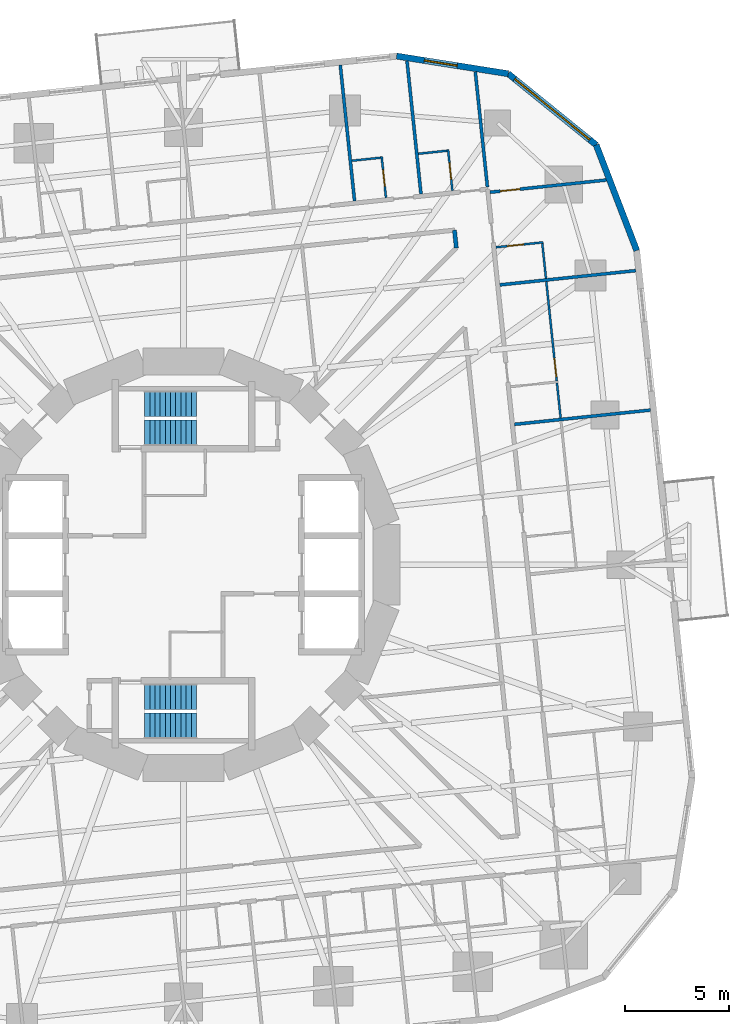
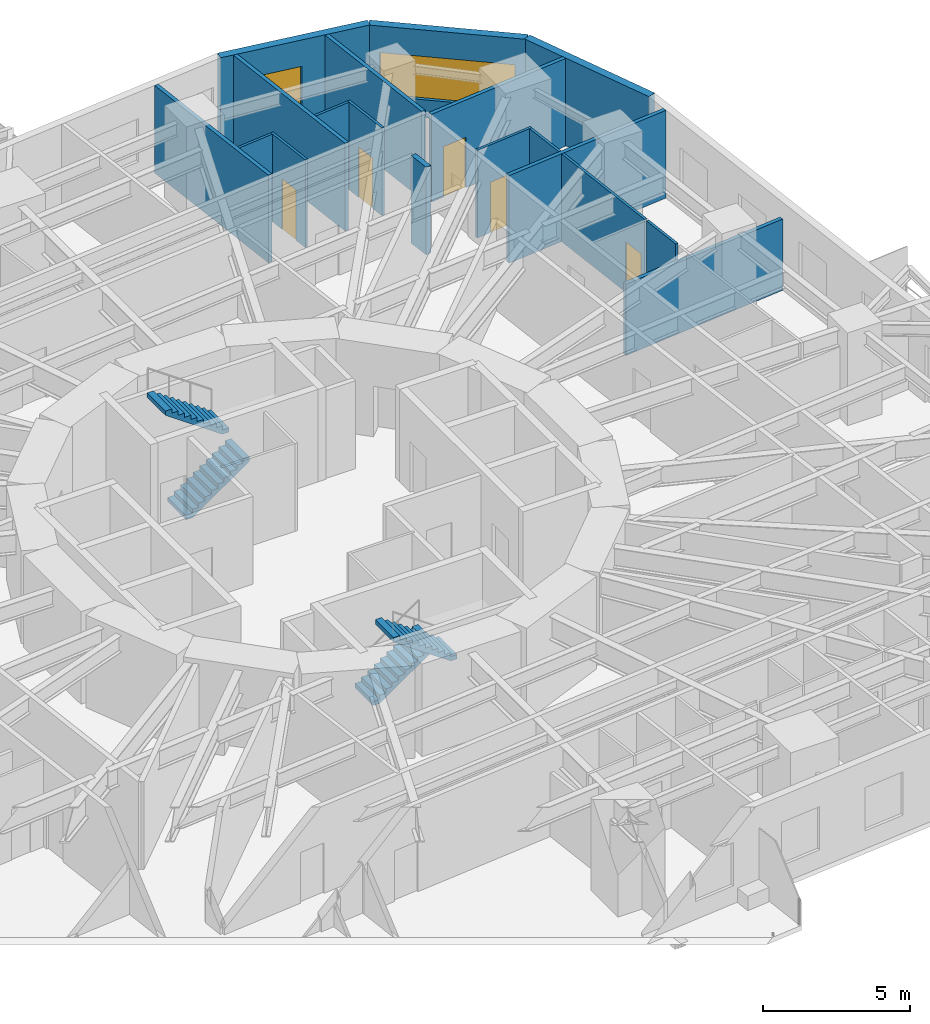
# One storey, part 11 of 13: 18 walls, 5 doors, 4 stair flights, 2 windows, 7 openings, 2 elements without a shape of their own.
"""IFC4 building model written with IfcOpenShell, lengths in metres."""

from ifc_helpers import new_model, si_unit, direction, frame, frame_2d, origin, place, context, subcontext, project, spatial, polyline, rectangle, outline, extrude, material, layer, layer_set, type_object, element, fill, aggregate, save


model = new_model("IFC4")

# Units and contexts
model_context = context("Model", 3, precision=1e-05, world=origin(), true_north=direction((0.0, 1.0)))
body_context = subcontext(model_context, "Body", "Model", "MODEL_VIEW")
ifc_project = project(units=[si_unit("LENGTHUNIT", "METRE"), si_unit("AREAUNIT", "SQUARE_METRE"), si_unit("VOLUMEUNIT", "CUBIC_METRE"), si_unit("PLANEANGLEUNIT", "RADIAN"), si_unit("MASSUNIT", "GRAM", prefix="KILO")], contexts=[model_context])

# Site, building, storey
site_placement = place(None, origin())
site = spatial("IfcSite", under=ifc_project, at=site_placement, CompositionType="ELEMENT")
building_placement = place(site_placement, origin())
building = spatial("IfcBuilding", under=site, at=building_placement, Name="Nakasero Lantern House", CompositionType="ELEMENT")
storey_placement = place(building_placement, frame((0.0, 0.0, 75.89990234375)))
storey = spatial("IfcBuildingStorey", under=building, at=storey_placement, Name="L18", CompositionType="ELEMENT", Elevation=75.89990234375)

# Walls
ifc_material_1 = material(Name="Blockwork", Category="masonry")
ifc_layer_1 = layer(ifc_material_1, 0.199951171875)
ifc_layer_set_1 = layer_set([ifc_layer_1], Name="Corridor wall 200")
wall_type_1 = type_object("IfcWallType", Name="Corridor wall 200", PredefinedType="PARTITIONING", material=ifc_layer_set_1)
wall_1_placement = place(storey_placement, frame((13.0830078125, 16.156005859375, 0.0), z_axis=(0.0, 0.0, 1.0), x_axis=(0.104303245505, -0.994545540927, 0.0)))
element("IfcWall", 1, at=wall_1_placement, inside=storey, type_object=wall_type_1, Name="Corridor wall L18 IW1-0R0", PredefinedType="PARTITIONING", context=body_context, shape_type="SweptSolid", body=[
    extrude(rectangle(XDim=0.865966796875, YDim=0.199951171875, at=frame_2d((0.43310546875, 0.0))), origin(), (0.0, 0.0, 1.0), 3.650146484375),
])
ifc_material_2 = material(Name="Blockwork", Category="masonry")
ifc_layer_2 = layer(ifc_material_2, 0.10009765625)
ifc_layer_set_2 = layer_set([ifc_layer_2], Name="En-suite wall 100")
wall_type_2 = type_object("IfcWallType", Name="En-suite wall 100", PredefinedType="PARTITIONING", material=ifc_layer_set_2)
wall_2_placement = place(storey_placement, frame((18.208984375, 7.087158203125, 0.0), z_axis=(0.0, 0.0, 1.0), x_axis=(-0.104550220202, 0.994519608382, 0.0)))
element("IfcWall", 2, at=wall_2_placement, inside=storey, type_object=wall_type_2, Name="En-suite wall L18 EE0-06", PredefinedType="PARTITIONING", context=body_context, shape_type="SweptSolid", body=[
    extrude(rectangle(XDim=1.699951171875, YDim=0.10009765625, at=frame_2d((0.85009765625, 0.0))), origin(), (0.0, 0.0, 1.0), 3.650146484375),
])

# Wall, opening, door
wall_3_placement = place(storey_placement, frame((15.08056640625, 15.326416015625, 0.0), z_axis=(0.0, 0.0, 1.0), x_axis=(0.994518822602, 0.104557694553, 0.0)))
wall_3 = element("IfcWall", 3, at=wall_3_placement, inside=storey, type_object=wall_type_2, Name="En-suite wall L18 ES0-08", PredefinedType="PARTITIONING", context=body_context, shape_type="SweptSolid", body=[
    extrude(rectangle(XDim=2.300048828125, YDim=0.10009765625, at=frame_2d((1.14990234375, 0.0))), origin(), (0.0, 0.0, 1.0), 3.650146484375),
])
opening_1_placement = place(wall_3_placement, frame((0.550048828125, 0.0, 0.0)))
opening_1 = element("IfcOpeningElement", 4, at=opening_1_placement, cuts=wall_3, Name="Opening D02", PredefinedType="OPENING", context=body_context, shape_type="SweptSolid", body=[
    extrude(rectangle(XDim=0.800048828125, YDim=2.10009765625, at=frame_2d((0.39990234375, 1.050048828125))), frame((0.0, 0.070068359375, 0.0), z_axis=(0.0, -1.0, 0.0), x_axis=(1.0, 0.0, 0.0)), (0.0, 0.0, 1.0), 0.14013671875),
])
ifc_material_3 = material(Name="Timber C24", Category="wood")
door_type_1 = type_object("IfcDoorType", Name="En-suite door 800", OperationType="SINGLE_SWING_RIGHT", PredefinedType="DOOR", material=ifc_material_3)
door_1_placement = place(opening_1_placement, origin())
door_1 = element("IfcDoor", 5, at=door_1_placement, inside=storey, type_object=door_type_1, Name="Door L18 DE0-08", OperationType="SINGLE_SWING_LEFT", OverallHeight=2.10009765625, OverallWidth=0.800048828125, PredefinedType="DOOR", context=body_context, shape_type="SweptSolid", body=[
    extrude(rectangle(XDim=0.800048828125, YDim=2.10009765625, at=frame_2d((0.39990234375, 1.050048828125))), frame((0.0, 0.02490234375, 0.0), z_axis=(0.0, -1.0, 0.0), x_axis=(1.0, 0.0, 0.0)), (0.0, 0.0, 1.0), 0.050048828125),
])
fill(opening_1, door_1)

# Wall
wall_4_placement = place(storey_placement, frame((17.501220703125, 13.8212890625, 0.0), z_axis=(0.0, 0.0, 1.0), x_axis=(-0.104550220202, 0.994519608382, 0.0)))
element("IfcWall", 6, at=wall_4_placement, inside=storey, type_object=wall_type_2, Name="En-suite wall L18 EE0-08", PredefinedType="PARTITIONING", context=body_context, shape_type="SweptSolid", body=[
    extrude(rectangle(XDim=1.699951171875, YDim=0.10009765625, at=frame_2d((0.85009765625, 0.0))), origin(), (0.0, 0.0, 1.0), 3.650146484375),
])

# Wall, opening, door
wall_5_placement = place(storey_placement, frame((12.9833984375, 18.05615234375, 0.0), z_axis=(0.0, 0.0, 1.0), x_axis=(-0.104494148666, 0.99452550138, 0.0)))
wall_5 = element("IfcWall", 7, at=wall_5_placement, inside=storey, type_object=wall_type_2, Name="En-suite wall L18 ES1-00", PredefinedType="PARTITIONING", context=body_context, shape_type="SweptSolid", body=[
    extrude(rectangle(XDim=2.0, YDim=0.10009765625, at=frame_2d((1.0, 0.0))), origin(), (0.0, 0.0, 1.0), 3.650146484375),
])
opening_2_placement = place(wall_5_placement, frame((0.550048828125, 0.0, 0.0)))
opening_2 = element("IfcOpeningElement", 8, at=opening_2_placement, cuts=wall_5, Name="Opening D02", PredefinedType="OPENING", context=body_context, shape_type="SweptSolid", body=[
    extrude(rectangle(XDim=0.800048828125, YDim=2.10009765625, at=frame_2d((0.39990234375, 1.050048828125))), frame((0.0, 0.070068359375, 0.0), z_axis=(0.0, -1.0, 0.0), x_axis=(1.0, 0.0, 0.0)), (0.0, 0.0, 1.0), 0.14013671875),
])
door_2_placement = place(opening_2_placement, origin())
door_2 = element("IfcDoor", 9, at=door_2_placement, inside=storey, type_object=door_type_1, Name="Door L18 DE1-00", OperationType="SINGLE_SWING_LEFT", OverallHeight=2.10009765625, OverallWidth=0.800048828125, PredefinedType="DOOR", context=body_context, shape_type="SweptSolid", body=[
    extrude(rectangle(XDim=0.800048828125, YDim=2.10009765625, at=frame_2d((0.39990234375, 1.050048828125))), frame((0.0, 0.02490234375, 0.0), z_axis=(0.0, -1.0, 0.0), x_axis=(1.0, 0.0, 0.0)), (0.0, 0.0, 1.0), 0.050048828125),
])
fill(opening_2, door_2)

# Wall
wall_6_placement = place(storey_placement, frame((12.72998046875, 19.990234375, 0.0), z_axis=(0.0, 0.0, 1.0), x_axis=(-0.994511184598, -0.104630319263, 0.0)))
element("IfcWall", 10, at=wall_6_placement, inside=storey, type_object=wall_type_2, Name="En-suite wall L18 EE1-00", PredefinedType="PARTITIONING", context=body_context, shape_type="SweptSolid", body=[
    extrude(rectangle(XDim=1.39990234375, YDim=0.10009765625, at=frame_2d((0.699951171875, 0.0))), origin(), (0.0, 0.0, 1.0), 3.650146484375),
])

# Wall, opening, door
wall_7_placement = place(storey_placement, frame((9.77587890625, 17.718994140625, 0.0), z_axis=(0.0, 0.0, 1.0), x_axis=(-0.104614886044, 0.994512808172, 0.0)))
wall_7 = element("IfcWall", 11, at=wall_7_placement, inside=storey, type_object=wall_type_2, Name="En-suite wall L18 ES1-01", PredefinedType="PARTITIONING", context=body_context, shape_type="SweptSolid", body=[
    extrude(rectangle(XDim=2.0, YDim=0.10009765625, at=frame_2d((1.0, 0.0))), origin(), (0.0, 0.0, 1.0), 3.650146484375),
])
opening_3_placement = place(wall_7_placement, frame((0.550048828125, 0.0, 0.0)))
opening_3 = element("IfcOpeningElement", 12, at=opening_3_placement, cuts=wall_7, Name="Opening D02", PredefinedType="OPENING", context=body_context, shape_type="SweptSolid", body=[
    extrude(rectangle(XDim=0.800048828125, YDim=2.10009765625, at=frame_2d((0.39990234375, 1.050048828125))), frame((0.0, 0.070068359375, 0.0), z_axis=(0.0, -1.0, 0.0), x_axis=(1.0, 0.0, 0.0)), (0.0, 0.0, 1.0), 0.14013671875),
])
door_3_placement = place(opening_3_placement, origin())
door_3 = element("IfcDoor", 13, at=door_3_placement, inside=storey, type_object=door_type_1, Name="Door L18 DE1-01", OperationType="SINGLE_SWING_LEFT", OverallHeight=2.10009765625, OverallWidth=0.800048828125, PredefinedType="DOOR", context=body_context, shape_type="SweptSolid", body=[
    extrude(rectangle(XDim=0.800048828125, YDim=2.10009765625, at=frame_2d((0.39990234375, 1.050048828125))), frame((0.0, 0.02490234375, 0.0), z_axis=(0.0, -1.0, 0.0), x_axis=(1.0, 0.0, 0.0)), (0.0, 0.0, 1.0), 0.050048828125),
])
fill(opening_3, door_3)

# Wall
wall_8_placement = place(storey_placement, frame((9.522216796875, 19.653076171875, 0.0), z_axis=(0.0, 0.0, 1.0), x_axis=(-0.994511184598, -0.104630319263, 0.0)))
element("IfcWall", 14, at=wall_8_placement, inside=storey, type_object=wall_type_2, Name="En-suite wall L18 EE1-01", PredefinedType="PARTITIONING", context=body_context, shape_type="SweptSolid", body=[
    extrude(rectangle(XDim=1.39990234375, YDim=0.10009765625, at=frame_2d((0.699951171875, 0.0))), origin(), (0.0, 0.0, 1.0), 3.650146484375),
])

# Wall, opening, door
wall_9_placement = place(storey_placement, frame((18.020751953125, 8.87744140625, 0.0), z_axis=(0.0, 0.0, 1.0), x_axis=(-0.104521347102, 0.994522643282, 0.0)))
wall_9 = element("IfcWall", 15, at=wall_9_placement, inside=storey, type_object=wall_type_2, Name="En-suite wall L18 EL0-06", PredefinedType="PARTITIONING", context=body_context, shape_type="SweptSolid", body=[
    extrude(rectangle(XDim=4.821044921875, YDim=0.10009765625, at=frame_2d((2.41064453125, 0.0))), origin(), (0.0, 0.0, 1.0), 3.650146484375),
])
opening_4_placement = place(wall_9_placement, frame((0.199951171875, 0.0, 0.0)))
opening_4 = element("IfcOpeningElement", 16, at=opening_4_placement, cuts=wall_9, Name="Opening D17", PredefinedType="OPENING", context=body_context, shape_type="SweptSolid", body=[
    extrude(rectangle(XDim=0.89990234375, YDim=2.10009765625, at=frame_2d((0.449951171875, 1.050048828125))), frame((0.0, 0.070068359375, 0.0), z_axis=(0.0, -1.0, 0.0), x_axis=(1.0, 0.0, 0.0)), (0.0, 0.0, 1.0), 0.14013671875),
])
ifc_material_4 = material(Name="Timber C24", Category="wood")
door_type_2 = type_object("IfcDoorType", Name="Bedroom door FD30S 900", OperationType="SINGLE_SWING_LEFT", PredefinedType="DOOR", material=ifc_material_4)
door_4_placement = place(opening_4_placement, origin())
door_4 = element("IfcDoor", 17, at=door_4_placement, inside=storey, type_object=door_type_2, Name="Door L18 DL0-06", OperationType="SINGLE_SWING_LEFT", OverallHeight=2.10009765625, OverallWidth=0.89990234375, PredefinedType="DOOR", context=body_context, shape_type="SweptSolid", body=[
    extrude(rectangle(XDim=0.89990234375, YDim=2.10009765625, at=frame_2d((0.449951171875, 1.050048828125))), frame((0.0, 0.02490234375, 0.0), z_axis=(0.0, -1.0, 0.0), x_axis=(1.0, 0.0, 0.0)), (0.0, 0.0, 1.0), 0.050048828125),
])
fill(opening_4, door_4)

# Wall
ifc_material_5 = material(Name="Aluminium rainscreen on blockwork", Category="masonry")
ifc_layer_3 = layer(ifc_material_5, 0.300048828125)
ifc_layer_set_3 = layer_set([ifc_layer_3], Name="Facade wall 300")
wall_type_3 = type_object("IfcWallType", Name="Facade wall 300", PredefinedType="SOLIDWALL", material=ifc_layer_set_3)
wall_10_placement = place(storey_placement, frame((21.884033203125, 15.170654296875, 0.0), z_axis=(0.0, 0.0, 1.0), x_axis=(-0.358358884793, 0.933583906079, 0.0)))
element("IfcWall", 18, at=wall_10_placement, inside=storey, type_object=wall_type_3, Name="Facade wall L18 FW0C1", PredefinedType="SOLIDWALL", context=body_context, shape_type="SweptSolid", body=[
    extrude(rectangle(XDim=5.461181640625, YDim=0.300048828125, at=frame_2d((2.73046875, 0.0))), origin(), (0.0, 0.0, 1.0), 3.650146484375),
])

# Wall, opening, window
wall_11_placement = place(storey_placement, frame((19.927001953125, 20.26904296875, 0.0), z_axis=(0.0, 0.0, 1.0), x_axis=(-0.777134500863, 0.629334543442, 0.0)))
wall_11 = element("IfcWall", 19, at=wall_11_placement, inside=storey, type_object=wall_type_3, Name="Facade wall L18 FW0C2", PredefinedType="SOLIDWALL", context=body_context, shape_type="SweptSolid", body=[
    extrude(rectangle(XDim=5.4609375, YDim=0.300048828125, at=frame_2d((2.73046875, 0.0))), origin(), (0.0, 0.0, 1.0), 3.650146484375),
])
opening_5_placement = place(wall_11_placement, frame((0.39990234375, 0.0, 0.75)))
opening_5 = element("IfcOpeningElement", 20, at=opening_5_placement, cuts=wall_11, Name="Opening W246", PredefinedType="OPENING", context=body_context, shape_type="SweptSolid", body=[
    extrude(rectangle(XDim=4.660888671875, YDim=1.800048828125, at=frame_2d((2.33056640625, 0.89990234375))), frame((0.0, 0.169921875, 0.0), z_axis=(0.0, -1.0, 0.0), x_axis=(1.0, 0.0, 0.0)), (0.0, 0.0, 1.0), 0.340087890625),
])
ifc_material_6 = material(Name="Aluminium 6063-T6 and glass", Category="aluminium")
window_type_1 = type_object("IfcWindowType", Name="Corner window 4661x1800", PartitioningType="SINGLE_PANEL", PredefinedType="WINDOW", material=ifc_material_6)
window_1_placement = place(opening_5_placement, origin())
window_1 = element("IfcWindow", 21, at=window_1_placement, inside=storey, type_object=window_type_1, Name="Window L18 WC0", OverallHeight=1.800048828125, OverallWidth=4.660888671875, PartitioningType="SINGLE_PANEL", PredefinedType="WINDOW", context=body_context, shape_type="SweptSolid", body=[
    extrude(rectangle(XDim=4.660888671875, YDim=1.800048828125, at=frame_2d((2.33056640625, 0.89990234375))), frame((0.0, 0.030029296875, 0.0), z_axis=(0.0, -1.0, 0.0), x_axis=(1.0, 0.0, 0.0)), (0.0, 0.0, 1.0), 0.06005859375),
])
fill(opening_5, window_1)

wall_12_placement = place(storey_placement, frame((15.68310546875, 23.705810546875, 0.0), z_axis=(0.0, 0.0, 1.0), x_axis=(-0.987690729142, 0.156419383601, 0.0)))
wall_12 = element("IfcWall", 22, at=wall_12_placement, inside=storey, type_object=wall_type_3, Name="Facade wall L18 FW0C3", PredefinedType="SOLIDWALL", context=body_context, shape_type="SweptSolid", body=[
    extrude(rectangle(XDim=5.461181640625, YDim=0.300048828125, at=frame_2d((2.73046875, 0.0))), origin(), (0.0, 0.0, 1.0), 3.650146484375),
])
opening_6_placement = place(wall_12_placement, frame((2.5, 0.0, 0.75)))
opening_6 = element("IfcOpeningElement", 23, at=opening_6_placement, cuts=wall_12, Name="Opening W01", PredefinedType="OPENING", context=body_context, shape_type="SweptSolid", body=[
    extrude(rectangle(XDim=1.60009765625, YDim=1.800048828125, at=frame_2d((0.800048828125, 0.89990234375))), frame((0.0, 0.169921875, 0.0), z_axis=(0.0, -1.0, 0.0), x_axis=(1.0, 0.0, 0.0)), (0.0, 0.0, 1.0), 0.340087890625),
])
ifc_material_7 = material(Name="Aluminium 6063-T6 and glass", Category="aluminium")
window_type_2 = type_object("IfcWindowType", Name="Bedroom window 1600x1800", PartitioningType="SINGLE_PANEL", PredefinedType="WINDOW", material=ifc_material_7)
window_2_placement = place(opening_6_placement, origin())
window_2 = element("IfcWindow", 24, at=window_2_placement, inside=storey, type_object=window_type_2, Name="Window L18 WN1-00", OverallHeight=1.800048828125, OverallWidth=1.60009765625, PartitioningType="SINGLE_PANEL", PredefinedType="WINDOW", context=body_context, shape_type="SweptSolid", body=[
    extrude(rectangle(XDim=1.60009765625, YDim=1.800048828125, at=frame_2d((0.800048828125, 0.89990234375))), frame((0.0, 0.030029296875, 0.0), z_axis=(0.0, -1.0, 0.0), x_axis=(1.0, 0.0, 0.0)), (0.0, 0.0, 1.0), 0.06005859375),
])
fill(opening_6, window_2)

# Walls
ifc_material_8 = material(Name="Blockwork", Category="masonry")
ifc_layer_4 = layer(ifc_material_8, 0.14990234375)
ifc_layer_set_4 = layer_set([ifc_layer_4], Name="Party wall 150")
wall_type_4 = type_object("IfcWallType", Name="Party wall 150", PredefinedType="PARTITIONING", material=ifc_layer_set_4)
wall_13_placement = place(storey_placement, frame((15.97900390625, 6.77734375, 0.0), z_axis=(0.0, 0.0, 1.0), x_axis=(0.994521251134, 0.104534592565, 0.0)))
element("IfcWall", 25, at=wall_13_placement, inside=storey, type_object=wall_type_4, Name="Party wall L18 PW0-06", PredefinedType="PARTITIONING", context=body_context, shape_type="SweptSolid", body=[
    extrude(rectangle(XDim=6.60009765625, YDim=0.14990234375, at=frame_2d((3.300048828125, 0.0))), origin(), (0.0, 0.0, 1.0), 2.966552734375),
])
wall_14_placement = place(storey_placement, frame((15.271240234375, 13.511474609375, 0.0), z_axis=(0.0, 0.0, 1.0), x_axis=(0.994521251134, 0.104534592565, 0.0)))
element("IfcWall", 26, at=wall_14_placement, inside=storey, type_object=wall_type_4, Name="Party wall L18 PW0-08", PredefinedType="PARTITIONING", context=body_context, shape_type="SweptSolid", body=[
    extrude(rectangle(XDim=6.60009765625, YDim=0.14990234375, at=frame_2d((3.300048828125, 0.0))), origin(), (0.0, 0.0, 1.0), 3.650146484375),
])

# Wall, opening, door
wall_15_placement = place(storey_placement, frame((14.801025390625, 17.9853515625, 0.0), z_axis=(0.0, 0.0, 1.0), x_axis=(0.994522751177, 0.104520320471, 0.0)))
wall_15 = element("IfcWall", 27, at=wall_15_placement, inside=storey, type_object=wall_type_4, Name="Party wall L18 PC0", PredefinedType="PARTITIONING", context=body_context, shape_type="SweptSolid", body=[
    extrude(rectangle(XDim=5.64111328125, YDim=0.14990234375, at=frame_2d((2.820556640625, 0.0))), origin(), (0.0, 0.0, 1.0), 3.650146484375),
])
opening_7_placement = place(wall_15_placement, frame((0.5, 0.0, 0.0)))
opening_7 = element("IfcOpeningElement", 28, at=opening_7_placement, cuts=wall_15, Name="Opening D01", PredefinedType="OPENING", context=body_context, shape_type="SweptSolid", body=[
    extrude(rectangle(XDim=0.949951171875, YDim=2.10009765625, at=frame_2d((0.47509765625, 1.050048828125))), frame((0.0, 0.094970703125, 0.0), z_axis=(0.0, -1.0, 0.0), x_axis=(1.0, 0.0, 0.0)), (0.0, 0.0, 1.0), 0.18994140625),
])
ifc_material_9 = material(Name="Timber C24", Category="wood")
door_type_3 = type_object("IfcDoorType", Name="Bedroom door FD30S 950", OperationType="SINGLE_SWING_LEFT", PredefinedType="DOOR", material=ifc_material_9)
door_5_placement = place(opening_7_placement, origin())
door_5 = element("IfcDoor", 29, at=door_5_placement, inside=storey, type_object=door_type_3, Name="Door L18 DC0", OperationType="SINGLE_SWING_LEFT", OverallHeight=2.10009765625, OverallWidth=0.949951171875, PredefinedType="DOOR", context=body_context, shape_type="SweptSolid", body=[
    extrude(rectangle(XDim=0.949951171875, YDim=2.10009765625, at=frame_2d((0.47509765625, 1.050048828125))), frame((0.0, 0.02490234375, 0.0), z_axis=(0.0, -1.0, 0.0), x_axis=(1.0, 0.0, 0.0)), (0.0, 0.0, 1.0), 0.050048828125),
])
fill(opening_7, door_5)

# Walls
wall_16_placement = place(storey_placement, frame((14.674560546875, 18.23388671875, 0.0), z_axis=(0.0, 0.0, 1.0), x_axis=(-0.104541754786, 0.994520498284, 0.0)))
element("IfcWall", 30, at=wall_16_placement, inside=storey, type_object=wall_type_4, Name="Party wall L18 PW1-00", PredefinedType="PARTITIONING", context=body_context, shape_type="SweptSolid", body=[
    extrude(rectangle(XDim=5.597900390625, YDim=0.14990234375, at=frame_2d((2.798828125, 0.0))), origin(), (0.0, 0.0, 1.0), 3.650146484375),
])
wall_17_placement = place(storey_placement, frame((11.466796875, 17.896728515625, 0.0), z_axis=(0.0, 0.0, 1.0), x_axis=(-0.10453728607, 0.994520968015, 0.0)))
element("IfcWall", 31, at=wall_17_placement, inside=storey, type_object=wall_type_4, Name="Party wall L18 PW1-01", PredefinedType="PARTITIONING", context=body_context, shape_type="SweptSolid", body=[
    extrude(rectangle(XDim=6.462158203125, YDim=0.14990234375, at=frame_2d((3.23095703125, 0.0))), origin(), (0.0, 0.0, 1.0), 3.650146484375),
])
wall_18_placement = place(storey_placement, frame((8.25927734375, 17.5595703125, 0.0), z_axis=(0.0, 0.0, 1.0), x_axis=(-0.104538438287, 0.994520846901, 0.0)))
element("IfcWall", 32, at=wall_18_placement, inside=storey, type_object=wall_type_4, Name="Party wall L18 PW1-02", PredefinedType="PARTITIONING", context=body_context, shape_type="SweptSolid", body=[
    extrude(rectangle(XDim=6.599853515625, YDim=0.14990234375, at=frame_2d((3.2998046875, 0.0))), origin(), (0.0, 0.0, 1.0), 3.650146484375),
])

# Stair, stair flights
ifc_material_10 = material(Name="Concrete C40/50", Category="concrete")
stair_type_1 = type_object("IfcStairType", Name="Escape stair ST1 22 risers", PredefinedType="HALF_TURN_STAIR", material=ifc_material_10)
stair_1_placement = place(storey_placement, origin())
stair_1 = element("IfcStair", 33, at=stair_1_placement, inside=storey, type_object=stair_type_1, Name="Escape stair ST1 L18", PredefinedType="HALF_TURN_STAIR")
ifc_material_11 = material(Name="Concrete C40/50", Category="concrete")
stair_flight_type = type_object("IfcStairFlightType", Name="Escape stair flight", PredefinedType="STRAIGHT", material=ifc_material_11)
stair_flight_1_placement = place(storey_placement, frame((-1.875, 6.375, 0.0), z_axis=(0.0, 0.0, 1.0), x_axis=(1.0, 0.0, 0.0)))
stair_flight_1 = element("IfcStairFlight", 34, at=stair_flight_1_placement, type_object=stair_flight_type, Name="ST1 flight 1", NumberOfRisers=11, NumberOfTreads=10, PredefinedType="STRAIGHT", RiserHeight=0.175, TreadLength=0.25, context=body_context, shape_type="SweptSolid", body=[
    extrude(outline(polyline([(0.0, 0.0), (0.0, 0.175048828125), (0.25, 0.175048828125), (0.25, 0.35009765625), (0.5, 0.35009765625), (0.5, 0.52490234375), (0.75, 0.52490234375), (0.75, 0.699951171875), (1.0, 0.699951171875), (1.0, 0.875), (1.25, 0.875), (1.25, 1.050048828125), (1.5, 1.050048828125), (1.5, 1.22509765625), (1.75, 1.22509765625), (1.75, 1.39990234375), (2.0, 1.39990234375), (2.0, 1.574951171875), (2.25, 1.574951171875), (2.25, 1.75), (2.5, 1.75), (2.5, 1.925048828125), (2.5, 1.567138671875), (0.261474609375, 0.0), (0.0, 0.0)])), frame((0.0, 0.625, 0.0), z_axis=(0.0, -1.0, 0.0), x_axis=(1.0, 0.0, 0.0)), (0.0, 0.0, 1.0), 1.25),
])
stair_flight_2_placement = place(storey_placement, frame((0.625, 7.77490234375, 1.925048828125), z_axis=(0.0, 0.0, 1.0), x_axis=(-1.0, 0.0, 0.0)))
stair_flight_2 = element("IfcStairFlight", 35, at=stair_flight_2_placement, type_object=stair_flight_type, Name="ST1 flight 2", NumberOfRisers=11, NumberOfTreads=10, PredefinedType="STRAIGHT", RiserHeight=0.175, TreadLength=0.25, context=body_context, shape_type="SweptSolid", body=[
    extrude(outline(polyline([(0.0, 0.0), (0.0, 0.175048828125), (0.25, 0.175048828125), (0.25, 0.35009765625), (0.5, 0.35009765625), (0.5, 0.52490234375), (0.75, 0.52490234375), (0.75, 0.699951171875), (1.0, 0.699951171875), (1.0, 0.875), (1.25, 0.875), (1.25, 1.050048828125), (1.5, 1.050048828125), (1.5, 1.22509765625), (1.75, 1.22509765625), (1.75, 1.39990234375), (2.0, 1.39990234375), (2.0, 1.574951171875), (2.25, 1.574951171875), (2.25, 1.75), (2.5, 1.75), (2.5, 1.925048828125), (2.5, 1.567138671875), (0.261474609375, 0.0), (0.0, 0.0)])), frame((0.0, 0.625, 0.0), z_axis=(0.0, -1.0, 0.0), x_axis=(1.0, 0.0, 0.0)), (0.0, 0.0, 1.0), 1.25),
])
aggregate(stair_1, [stair_flight_1, stair_flight_2])

ifc_material_12 = material(Name="Concrete C40/50", Category="concrete")
stair_type_2 = type_object("IfcStairType", Name="Escape stair ST2 22 risers", PredefinedType="HALF_TURN_STAIR", material=ifc_material_12)
stair_2_placement = place(storey_placement, origin())
stair_2 = element("IfcStair", 36, at=stair_2_placement, inside=storey, type_object=stair_type_2, Name="Escape stair ST2 L18", PredefinedType="HALF_TURN_STAIR")
stair_flight_3_placement = place(storey_placement, frame((-1.875, -6.375, 0.0), z_axis=(0.0, 0.0, 1.0), x_axis=(1.0, 0.0, 0.0)))
stair_flight_3 = element("IfcStairFlight", 37, at=stair_flight_3_placement, type_object=stair_flight_type, Name="ST2 flight 1", NumberOfRisers=11, NumberOfTreads=10, PredefinedType="STRAIGHT", RiserHeight=0.175, TreadLength=0.25, context=body_context, shape_type="SweptSolid", body=[
    extrude(outline(polyline([(0.0, 0.0), (0.0, 0.175048828125), (0.25, 0.175048828125), (0.25, 0.35009765625), (0.5, 0.35009765625), (0.5, 0.52490234375), (0.75, 0.52490234375), (0.75, 0.699951171875), (1.0, 0.699951171875), (1.0, 0.875), (1.25, 0.875), (1.25, 1.050048828125), (1.5, 1.050048828125), (1.5, 1.22509765625), (1.75, 1.22509765625), (1.75, 1.39990234375), (2.0, 1.39990234375), (2.0, 1.574951171875), (2.25, 1.574951171875), (2.25, 1.75), (2.5, 1.75), (2.5, 1.925048828125), (2.5, 1.567138671875), (0.261474609375, 0.0), (0.0, 0.0)])), frame((0.0, 0.625, 0.0), z_axis=(0.0, -1.0, 0.0), x_axis=(1.0, 0.0, 0.0)), (0.0, 0.0, 1.0), 1.25),
])
stair_flight_4_placement = place(storey_placement, frame((0.625, -7.77490234375, 1.925048828125), z_axis=(0.0, 0.0, 1.0), x_axis=(-1.0, 0.0, 0.0)))
stair_flight_4 = element("IfcStairFlight", 38, at=stair_flight_4_placement, type_object=stair_flight_type, Name="ST2 flight 2", NumberOfRisers=11, NumberOfTreads=10, PredefinedType="STRAIGHT", RiserHeight=0.175, TreadLength=0.25, context=body_context, shape_type="SweptSolid", body=[
    extrude(outline(polyline([(0.0, 0.0), (0.0, 0.175048828125), (0.25, 0.175048828125), (0.25, 0.35009765625), (0.5, 0.35009765625), (0.5, 0.52490234375), (0.75, 0.52490234375), (0.75, 0.699951171875), (1.0, 0.699951171875), (1.0, 0.875), (1.25, 0.875), (1.25, 1.050048828125), (1.5, 1.050048828125), (1.5, 1.22509765625), (1.75, 1.22509765625), (1.75, 1.39990234375), (2.0, 1.39990234375), (2.0, 1.574951171875), (2.25, 1.574951171875), (2.25, 1.75), (2.5, 1.75), (2.5, 1.925048828125), (2.5, 1.567138671875), (0.261474609375, 0.0), (0.0, 0.0)])), frame((0.0, 0.625, 0.0), z_axis=(0.0, -1.0, 0.0), x_axis=(1.0, 0.0, 0.0)), (0.0, 0.0, 1.0), 1.25),
])
aggregate(stair_2, [stair_flight_3, stair_flight_4])

save(model, "model.ifc")
